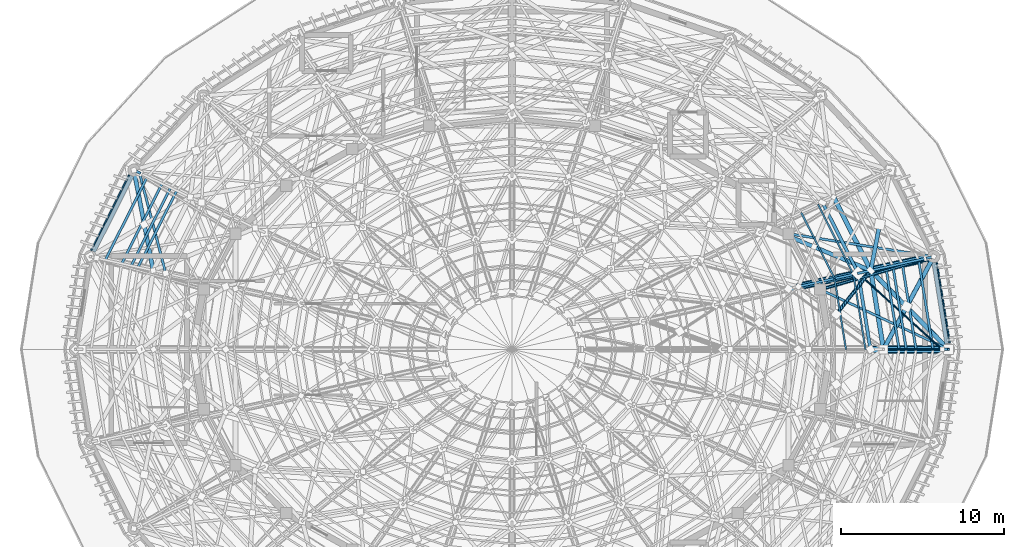
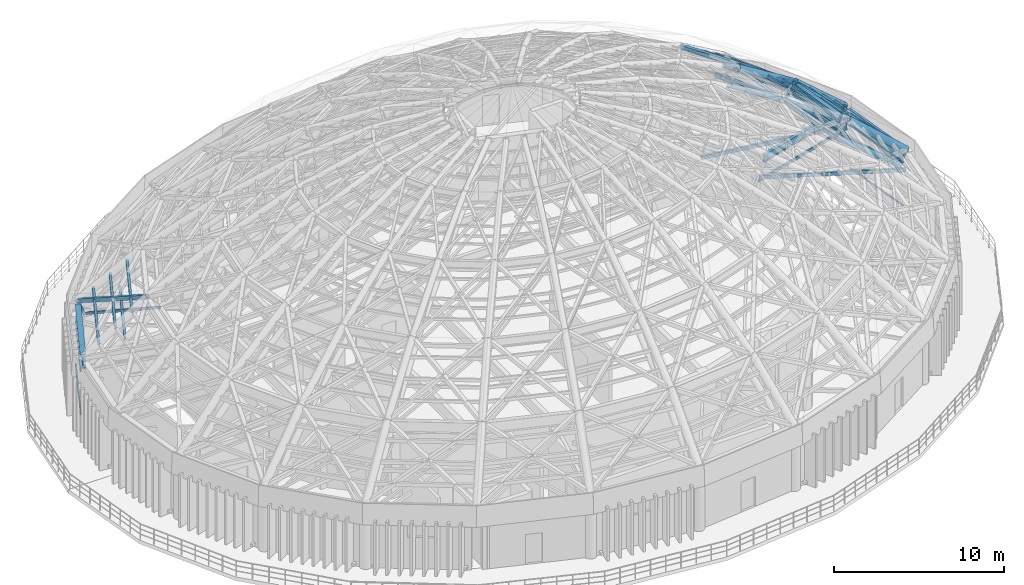
# One storey, part 25 of 50: 43 members, 5 beams.
"""IFC4 building model written with IfcOpenShell, lengths in metres."""

from ifc_helpers import new_model, si_unit, direction, frame, origin, origin_2d, place, context, subcontext, project, spatial, rectangle, hollow_rectangle, hollow_circle, i_section, extrude, material, material_profile, profile_set, type_object, element, save


model = new_model("IFC4")

# Units and contexts
model_context = context("Model", 3, precision=1e-05, world=origin(), true_north=direction((0.0, 1.0)))
body_context = subcontext(model_context, "Body", "Model", "MODEL_VIEW")
ifc_project = project(units=[si_unit("LENGTHUNIT", "METRE"), si_unit("AREAUNIT", "SQUARE_METRE"), si_unit("VOLUMEUNIT", "CUBIC_METRE"), si_unit("PLANEANGLEUNIT", "RADIAN"), si_unit("MASSUNIT", "GRAM", prefix="KILO")], contexts=[model_context])

# Site, building, storey
site_placement = place(None, origin())
site = spatial("IfcSite", under=ifc_project, at=site_placement, CompositionType="ELEMENT")
building_placement = place(site_placement, origin())
building = spatial("IfcBuilding", under=site, at=building_placement, Name="Cinderbank Siding Concert Hall", CompositionType="ELEMENT")
storey_placement = place(building_placement, frame((0.0, 0.0, 23.699951171875)))
storey = spatial("IfcBuildingStorey", under=building, at=storey_placement, Name="L06", CompositionType="ELEMENT", Elevation=23.699951171875)

# Beams
ifc_material_1 = material(Name="Structural steel AS/NZS 3679.1 Grade 350 (340 MPa)", Category="steel")
ifc_material_profile_1 = material_profile(ifc_material_1, i_section(OverallWidth=0.208984375, OverallDepth=0.532958984375, WebThickness=0.01025390625, FlangeThickness=0.015625, at=origin_2d()), Name="530UB92.4", Category="LoadBearing")
ifc_profile_set_1 = profile_set([ifc_material_profile_1], Name="Structural steel AS/NZS 3679.1 Grade 350 (340 MPa)")
beam_type_1 = type_object("IfcBeamType", Name="BM-UB530H 530UB92.4", PredefinedType="BEAM", material=ifc_profile_set_1)
beam_1_placement = place(storey_placement, frame((141.260498046875, 47.7705078125, 4.235595703125), z_axis=(0.960350422934, 0.278795740946, 0.0), x_axis=(-0.278795740946, 0.960350422934, 0.0)))
element("IfcBeam", 1, at=beam_1_placement, inside=storey, type_object=beam_type_1, Name="L06 Beam BM-UB530H #839", PredefinedType="BEAM", context=body_context, shape_type="SweptSolid", body=[
    extrude(i_section(OverallWidth=0.208984375, OverallDepth=0.532958984375, WebThickness=0.01025390625, FlangeThickness=0.015625, at=origin_2d()), origin(), (0.0, 0.0, 1.0), 6.53271484375),
])
ifc_material_2 = material(Name="Structural steel welded plate section AS/NZS 3679.2 / AS/NZS 3678 Grade 350 (340 MPa)", Category="steel")
ifc_material_profile_2 = material_profile(ifc_material_2, i_section(OverallWidth=0.35009765625, OverallDepth=1.0, WebThickness=0.013916015625, FlangeThickness=0.02490234375, at=origin_2d()), Name="1000WB258", Category="LoadBearing")
ifc_profile_set_2 = profile_set([ifc_material_profile_2], Name="Structural steel welded plate section AS/NZS 3679.2 / AS/NZS 3678 Grade 350 (340 MPa)")
beam_type_2 = type_object("IfcBeamType", Name="BM-WB1000 1000WB258", PredefinedType="BEAM", material=ifc_profile_set_2)
beam_2_placement = place(storey_placement, frame((148.741943359375, 44.3623046875, 4.0), z_axis=(-0.158385911166, 0.987377285106, 0.0), x_axis=(-0.987377285106, -0.158385911166, 0.0)))
element("IfcBeam", 2, at=beam_2_placement, inside=storey, type_object=beam_type_2, Name="L06 Beam BM-WB1000 #817", PredefinedType="BEAM", context=body_context, shape_type="SweptSolid", body=[
    extrude(i_section(OverallWidth=0.35009765625, OverallDepth=1.0, WebThickness=0.013916015625, FlangeThickness=0.02490234375, at=origin_2d()), origin(), (0.0, 0.0, 1.0), 5.03271484375),
])
beam_3_placement = place(storey_placement, frame((98.625244140625, 54.67236328125, 4.0), z_axis=(-0.450491318702, -0.892780808359, 0.0), x_axis=(0.892780808359, -0.450491318702, 0.0)))
element("IfcBeam", 3, at=beam_3_placement, inside=storey, type_object=beam_type_2, Name="L06 Beam BM-WB1000 #826", PredefinedType="BEAM", context=body_context, shape_type="SweptSolid", body=[
    extrude(i_section(OverallWidth=0.35009765625, OverallDepth=1.0, WebThickness=0.013916015625, FlangeThickness=0.02490234375, at=origin_2d()), origin(), (0.0, 0.0, 1.0), 5.209228515625),
])
ifc_material_profile_3 = material_profile(ifc_material_2, i_section(OverallWidth=0.27490234375, OverallDepth=0.800048828125, WebThickness=0.010009765625, FlangeThickness=0.01611328125, at=origin_2d()), Name="800WB146", Category="LoadBearing")
ifc_profile_set_3 = profile_set([ifc_material_profile_3], Name="Structural steel welded plate section AS/NZS 3679.2 / AS/NZS 3678 Grade 350 (340 MPa)")
beam_type_3 = type_object("IfcBeamType", Name="BM-WB800 800WB146", PredefinedType="BEAM", material=ifc_profile_set_3)
beam_4_placement = place(storey_placement, frame((144.800048828125, 44.0, 7.699951171875), z_axis=(-0.158483883063, 0.987361564377, 0.0), x_axis=(-0.987361564377, -0.158483883063, 0.0)))
element("IfcBeam", 4, at=beam_4_placement, inside=storey, type_object=beam_type_3, Name="L06 Beam BM-WB800 #2033", PredefinedType="BEAM", context=body_context, shape_type="SweptSolid", body=[
    extrude(i_section(OverallWidth=0.27490234375, OverallDepth=0.800048828125, WebThickness=0.010009765625, FlangeThickness=0.01611328125, at=origin_2d()), origin(), (0.0, 0.0, 1.0), 4.90185546875),
])
beam_5_placement = place(storey_placement, frame((144.023193359375, 48.83984375, 7.699951171875), z_axis=(-0.450804825768, 0.892622545685, 0.0), x_axis=(-0.892622545685, -0.450804825768, 0.0)))
element("IfcBeam", 5, at=beam_5_placement, inside=storey, type_object=beam_type_3, Name="L06 Beam BM-WB800 #2034", PredefinedType="BEAM", context=body_context, shape_type="SweptSolid", body=[
    extrude(i_section(OverallWidth=0.27490234375, OverallDepth=0.800048828125, WebThickness=0.010009765625, FlangeThickness=0.01611328125, at=origin_2d()), origin(), (0.0, 0.0, 1.0), 5.052734375),
])

# Members
ifc_material_3 = material(Name="Structural steel hollow section AS/NZS 1163 Grade C350L0 (350 MPa)", Category="steel")
ifc_material_profile_4 = material_profile(ifc_material_3, hollow_circle(Radius=0.05712890625, WallThickness=0.006103515625, at=origin_2d()), Name="114.3x6.0CHS", Category="LoadBearing")
ifc_profile_set_4 = profile_set([ifc_material_profile_4], Name="Structural steel hollow section AS/NZS 1163 Grade C350L0 (350 MPa)")
member_type_1 = type_object("IfcMemberType", Name="BR-CHS114 114.3x6.0CHS Roof Truss", PredefinedType="BRACE", material=ifc_profile_set_4)
member_1_placement = place(storey_placement, frame((148.39794921875, 44.0, 3.550048828125), z_axis=(-0.65748827294, 0.596752415493, 0.459995353835), x_axis=(-0.672078032772, -0.740480329155, 0.0)))
element("IfcMember", 6, at=member_1_placement, inside=storey, type_object=member_type_1, Name="L06 Diagonal Brace BR-CHS114 #DBRI-BR-CHS114-L06-0539", PredefinedType="BRACE", context=body_context, shape_type="SweptSolid", body=[
    extrude(hollow_circle(Radius=0.05712890625, WallThickness=0.006103515625, at=origin_2d()), origin(), (0.0, 0.0, 1.0), 7.826416015625),
])
ifc_material_profile_5 = material_profile(ifc_material_3, hollow_circle(Radius=0.06982421875, WallThickness=0.00634765625, at=origin_2d()), Name="139.7x6.4CHS", Category="LoadBearing")
ifc_profile_set_5 = profile_set([ifc_material_profile_5], Name="Structural steel hollow section AS/NZS 1163 Grade C350L0 (350 MPa)")
member_type_2 = type_object("IfcMemberType", Name="BR-CHS139 139.7x6.4CHS Roof Truss", PredefinedType="BRACE", material=ifc_profile_set_5)
member_2_placement = place(storey_placement, frame((148.39794921875, 44.0, 3.550048828125), z_axis=(-0.620255458481, 0.0, 0.784399876482), x_axis=(0.0, -1.0, 0.0)))
element("IfcMember", 7, at=member_2_placement, inside=storey, type_object=member_type_2, Name="L06 Diagonal Brace BR-CHS139 #DWBD-BR-CHS139-L06-0530", PredefinedType="BRACE", context=body_context, shape_type="SweptSolid", body=[
    extrude(hollow_circle(Radius=0.06982421875, WallThickness=0.00634765625, at=origin_2d()), origin(), (0.0, 0.0, 1.0), 5.80078125),
])
ifc_material_profile_6 = material_profile(ifc_material_3, hollow_circle(Radius=0.109619140625, WallThickness=0.00830078125, at=origin_2d()), Name="219.1x8.2CHS", Category="LoadBearing")
ifc_profile_set_6 = profile_set([ifc_material_profile_6], Name="Structural steel hollow section AS/NZS 1163 Grade C350L0 (350 MPa)")
member_type_3 = type_object("IfcMemberType", Name="BR-CHS219 219.1x8.2CHS Roof Truss", PredefinedType="BRACE", material=ifc_profile_set_6)
member_3_placement = place(storey_placement, frame((144.023193359375, 48.83984375, 8.10009765625), z_axis=(-0.550212106783, -0.696542417144, 0.460538053443), x_axis=(0.784712774684, -0.619859549614, 0.0)))
element("IfcMember", 8, at=member_3_placement, inside=storey, type_object=member_type_3, Name="L06 Diagonal Brace BR-CHS219 #DBRO-BR-CHS219-L06-0826", PredefinedType="BRACE", context=body_context, shape_type="SweptSolid", body=[
    extrude(hollow_circle(Radius=0.109619140625, WallThickness=0.00830078125, at=origin_2d()), origin(), (0.0, 0.0, 1.0), 3.852294921875),
])
ifc_material_profile_7 = material_profile(ifc_material_3, hollow_circle(Radius=0.136474609375, WallThickness=0.00927734375, at=origin_2d()), Name="273.1x9.3CHS", Category="LoadBearing")
ifc_profile_set_7 = profile_set([ifc_material_profile_7], Name="Structural steel hollow section AS/NZS 1163 Grade C350L0 (350 MPa)")
member_type_4 = type_object("IfcMemberType", Name="BR-CHS273 273.1x9.3CHS Roof Truss", PredefinedType="BRACE", material=ifc_profile_set_7)
member_4_placement = place(storey_placement, frame((148.800048828125, 44.0, 4.5), z_axis=(-0.620825768574, 0.62901206359, 0.467888008964), x_axis=(-0.711722983171, -0.702460244588, 0.0)))
element("IfcMember", 9, at=member_4_placement, inside=storey, type_object=member_type_4, Name="L06 Diagonal Brace BR-CHS273 #DBRO-BR-CHS273-L06-0537", PredefinedType="BRACE", context=body_context, shape_type="SweptSolid", body=[
    extrude(hollow_circle(Radius=0.136474609375, WallThickness=0.00927734375, at=origin_2d()), origin(), (0.0, 0.0, 1.0), 7.6943359375),
])
member_5_placement = place(storey_placement, frame((147.88671875, 49.694091796875, 4.5), z_axis=(-0.416567101442, -0.768406931136, 0.485821611477), x_axis=(0.879125806275, -0.476589778259, 0.0)))
element("IfcMember", 10, at=member_5_placement, inside=storey, type_object=member_type_4, Name="L06 Diagonal Brace BR-CHS273 #DBRO-BR-CHS273-L06-0538", PredefinedType="BRACE", context=body_context, shape_type="SweptSolid", body=[
    extrude(hollow_circle(Radius=0.136474609375, WallThickness=0.00927734375, at=origin_2d()), origin(), (0.0, 0.0, 1.0), 3.99072265625),
])
member_6_placement = place(storey_placement, frame((146.2119140625, 46.6044921875, 6.453369140625), z_axis=(-0.41654543345, -0.768408556812, 0.485837618644), x_axis=(0.879136615235, -0.476569839324, 0.0)))
element("IfcMember", 11, at=member_6_placement, inside=storey, type_object=member_type_4, Name="L06 Diagonal Brace BR-CHS273 #DBRO-BR-CHS273-L06-0538-S57", PredefinedType="BRACE", context=body_context, shape_type="SweptSolid", body=[
    extrude(hollow_circle(Radius=0.136474609375, WallThickness=0.00927734375, at=origin_2d()), origin(), (0.0, 0.0, 1.0), 3.389404296875),
])
ifc_material_profile_8 = material_profile(ifc_material_3, hollow_rectangle(XDim=0.14990234375, YDim=0.14990234375, WallThickness=0.008056640625, at=origin_2d()), Name="150x150x8.0SHS", Category="LoadBearing")
ifc_profile_set_8 = profile_set([ifc_material_profile_8], Name="Structural steel hollow section AS/NZS 1163 Grade C350L0 (350 MPa)")
member_type_5 = type_object("IfcMemberType", Name="BR-SHS150 150x150x8.0SHS Roof Truss", PredefinedType="BRACE", material=ifc_profile_set_8)
member_7_placement = place(storey_placement, frame((148.39794921875, 44.0, 3.550048828125), z_axis=(0.38980212284, 0.0, 0.920898639933), x_axis=(0.0, 1.0, 0.0)))
element("IfcMember", 12, at=member_7_placement, inside=storey, type_object=member_type_5, Name="L06 Diagonal Brace BR-SHS150 #DWBV-BR-SHS150-L06-0533", PredefinedType="BRACE", context=body_context, shape_type="SweptSolid", body=[
    extrude(hollow_rectangle(XDim=0.14990234375, YDim=0.14990234375, WallThickness=0.008056640625, at=origin_2d()), origin(), (0.0, 0.0, 1.0), 1.031494140625),
])
member_8_placement = place(storey_placement, frame((147.49853515625, 49.608642578125, 3.550048828125), z_axis=(-0.60159806167, -0.133082704334, 0.787634919237), x_axis=(0.215993483707, -0.97639480488, 0.0)))
element("IfcMember", 13, at=member_8_placement, inside=storey, type_object=member_type_5, Name="L06 Diagonal Brace BR-SHS150 #DWBD-BR-SHS150-L06-0542", PredefinedType="BRACE", context=body_context, shape_type="SweptSolid", body=[
    extrude(hollow_rectangle(XDim=0.14990234375, YDim=0.14990234375, WallThickness=0.008056640625, at=origin_2d()), origin(), (0.0, 0.0, 1.0), 5.77685546875),
])
member_9_placement = place(storey_placement, frame((147.49853515625, 49.608642578125, 3.550048828125), z_axis=(0.37696695298, 0.082980146882, 0.922502147198), x_axis=(-0.214978955029, 0.976618681418, 0.0)))
element("IfcMember", 14, at=member_9_placement, inside=storey, type_object=member_type_5, Name="L06 Diagonal Brace BR-SHS150 #DWBV-BR-SHS150-L06-0545", PredefinedType="BRACE", context=body_context, shape_type="SweptSolid", body=[
    extrude(hollow_rectangle(XDim=0.14990234375, YDim=0.14990234375, WallThickness=0.008056640625, at=origin_2d()), origin(), (0.0, 0.0, 1.0), 1.02978515625),
])
member_10_placement = place(storey_placement, frame((99.138671875, 54.8349609375, 3.550048828125), z_axis=(-0.339616879997, 0.160996501317, 0.926682524592), x_axis=(-0.428358715974, -0.903608770679, 0.0)))
element("IfcMember", 15, at=member_10_placement, inside=storey, type_object=member_type_5, Name="L06 Diagonal Brace BR-SHS150 #DWBV-BR-SHS150-L06-0653", PredefinedType="BRACE", context=body_context, shape_type="SweptSolid", body=[
    extrude(hollow_rectangle(XDim=0.14990234375, YDim=0.14990234375, WallThickness=0.008056640625, at=origin_2d()), origin(), (0.0, 0.0, 1.0), 1.025146484375),
])
member_11_placement = place(storey_placement, frame((99.138671875, 54.8349609375, 3.550048828125), z_axis=(0.219889639227, -0.842393171063, 0.491957611901), x_axis=(0.967579416305, 0.252566967638, 0.0)))
element("IfcMember", 16, at=member_11_placement, inside=storey, type_object=member_type_5, Name="L06 Diagonal Brace BR-SHS150 #DBRI-BR-SHS150-L06-0659", PredefinedType="BRACE", context=body_context, shape_type="SweptSolid", body=[
    extrude(hollow_rectangle(XDim=0.14990234375, YDim=0.14990234375, WallThickness=0.008056640625, at=origin_2d()), origin(), (0.0, 0.0, 1.0), 7.31787109375),
])
member_12_placement = place(storey_placement, frame((143.252197265625, 48.67041015625, 7.150146484375), z_axis=(-0.655669606354, -0.145326583405, 0.740930193378), x_axis=(0.216394383414, -0.976306033387, 0.0)))
element("IfcMember", 17, at=member_12_placement, inside=storey, type_object=member_type_5, Name="L06 Diagonal Brace BR-SHS150 #DWBD-BR-SHS150-L06-0830", PredefinedType="BRACE", context=body_context, shape_type="SweptSolid", body=[
    extrude(hollow_rectangle(XDim=0.14990234375, YDim=0.14990234375, WallThickness=0.008056640625, at=origin_2d()), origin(), (0.0, 0.0, 1.0), 5.600830078125),
])
member_13_placement = place(storey_placement, frame((143.252197265625, 48.67041015625, 7.150146484375), z_axis=(0.624221843528, 0.137178581193, 0.769109307526), x_axis=(-0.214637578428, 0.976693764661, 0.0)))
element("IfcMember", 18, at=member_13_placement, inside=storey, type_object=member_type_5, Name="L06 Diagonal Brace BR-SHS150 #DWBV-BR-SHS150-L06-0833", PredefinedType="BRACE", context=body_context, shape_type="SweptSolid", body=[
    extrude(hollow_rectangle(XDim=0.14990234375, YDim=0.14990234375, WallThickness=0.008056640625, at=origin_2d()), origin(), (0.0, 0.0, 1.0), 1.235107421875),
])
ifc_material_profile_9 = material_profile(ifc_material_3, hollow_rectangle(XDim=0.25, YDim=0.25, WallThickness=0.010009765625, at=origin_2d()), Name="250x250x10.0SHS", Category="LoadBearing")
ifc_profile_set_9 = profile_set([ifc_material_profile_9], Name="Structural steel hollow section AS/NZS 1163 Grade C350L0 (350 MPa)")
member_type_6 = type_object("IfcMemberType", Name="BR-SHS250 250x250x10.0SHS Roof Truss", PredefinedType="BRACE", material=ifc_profile_set_9)
member_14_placement = place(storey_placement, frame((144.565673828125, 51.6572265625, 6.45361328125), z_axis=(-0.163990634767, -0.851688535196, 0.497728551245), x_axis=(0.981962721471, -0.189074624533, 0.0)))
element("IfcMember", 19, at=member_14_placement, inside=storey, type_object=member_type_6, Name="L06 Diagonal Brace BR-SHS250 #DBRO-BR-SHS250-L06-0550-S58", PredefinedType="BRACE", context=body_context, shape_type="SweptSolid", body=[
    extrude(hollow_rectangle(XDim=0.25, YDim=0.25, WallThickness=0.010009765625, at=origin_2d()), origin(), (0.0, 0.0, 1.0), 3.30810546875),
])
member_15_placement = place(storey_placement, frame((98.79052734375, 55.0, 4.5), z_axis=(0.164010561701, -0.851680282535, 0.497736106779), x_axis=(0.981958115375, 0.189098544809, 0.0)))
element("IfcMember", 20, at=member_15_placement, inside=storey, type_object=member_type_6, Name="L06 Diagonal Brace BR-SHS250 #DBRO-BR-SHS250-L06-0657", PredefinedType="BRACE", context=body_context, shape_type="SweptSolid", body=[
    extrude(hollow_rectangle(XDim=0.25, YDim=0.25, WallThickness=0.010009765625, at=origin_2d()), origin(), (0.0, 0.0, 1.0), 7.23291015625),
])
member_16_placement = place(storey_placement, frame((144.023193359375, 48.83984375, 8.10009765625), z_axis=(-0.834800858734, 0.347988301974, 0.426628254978), x_axis=(-0.384761040448, -0.923016219659, 0.0)))
element("IfcMember", 21, at=member_16_placement, inside=storey, type_object=member_type_6, Name="L06 Diagonal Brace BR-SHS250 #DBRO-BR-SHS250-L06-0837", PredefinedType="BRACE", context=body_context, shape_type="SweptSolid", body=[
    extrude(hollow_rectangle(XDim=0.25, YDim=0.25, WallThickness=0.010009765625, at=origin_2d()), origin(), (0.0, 0.0, 1.0), 7.50048828125),
])
ifc_material_profile_10 = material_profile(ifc_material_3, hollow_circle(Radius=0.177734375, WallThickness=0.0126953125, at=origin_2d()), Name="355.6x12.7CHS", Category="LoadBearing")
ifc_profile_set_10 = profile_set([ifc_material_profile_10], Name="Structural steel hollow section AS/NZS 1163 Grade C350L0 (350 MPa)")
member_type_7 = type_object("IfcMemberType", Name="DR-CHS355 355.6x12.7CHS Roof Truss", PredefinedType="RAFTER", material=ifc_profile_set_10)
member_17_placement = place(storey_placement, frame((143.252197265625, 48.67041015625, 7.150146484375), z_axis=(-0.789093349478, -0.174650145167, 0.58892190705), x_axis=(0.216100368757, -0.976371154133, 0.0)))
element("IfcMember", 22, at=member_17_placement, inside=storey, type_object=member_type_7, Name="L06 Roof Truss Member DR-CHS355 #829", PredefinedType="RAFTER", context=body_context, shape_type="SweptSolid", body=[
    extrude(hollow_circle(Radius=0.177734375, WallThickness=0.0126953125, at=origin_2d()), origin(), (0.0, 0.0, 1.0), 5.43359375),
])
ifc_material_profile_11 = material_profile(ifc_material_3, hollow_circle(Radius=0.203125, WallThickness=0.01611328125, at=origin_2d()), Name="406.4x16.0CHS", Category="LoadBearing")
ifc_profile_set_11 = profile_set([ifc_material_profile_11], Name="Structural steel hollow section AS/NZS 1163 Grade C350L0 (350 MPa)")
member_type_8 = type_object("IfcMemberType", Name="DR-CHS406 406.4x16.0CHS Roof Truss", PredefinedType="RAFTER", material=ifc_profile_set_11)
member_18_placement = place(storey_placement, frame((148.39794921875, 44.0, 3.550048828125), z_axis=(-0.77366623214, 0.0, 0.633593372161), x_axis=(0.0, -1.0, 0.0)))
element("IfcMember", 23, at=member_18_placement, inside=storey, type_object=member_type_8, Name="L06 Roof Truss Member DR-CHS406 #529", PredefinedType="RAFTER", context=body_context, shape_type="SweptSolid", body=[
    extrude(hollow_circle(Radius=0.203125, WallThickness=0.01611328125, at=origin_2d()), origin(), (0.0, 0.0, 1.0), 5.68212890625),
])
member_19_placement = place(storey_placement, frame((147.49853515625, 49.608642578125, 3.550048828125), z_axis=(-0.752155055134, -0.166189379456, 0.637686336055), x_axis=(0.215747388225, -0.97644921244, 0.0)))
element("IfcMember", 24, at=member_19_placement, inside=storey, type_object=member_type_8, Name="L06 Roof Truss Member DR-CHS406 #541", PredefinedType="RAFTER", context=body_context, shape_type="SweptSolid", body=[
    extrude(hollow_circle(Radius=0.203125, WallThickness=0.01611328125, at=origin_2d()), origin(), (0.0, 0.0, 1.0), 5.6455078125),
])
ifc_material_profile_12 = material_profile(ifc_material_3, hollow_circle(Radius=0.228515625, WallThickness=0.01611328125, at=origin_2d()), Name="457.0x16.0CHS", Category="LoadBearing")
ifc_profile_set_12 = profile_set([ifc_material_profile_12], Name="Structural steel hollow section AS/NZS 1163 Grade C350L0 (350 MPa)")
member_type_9 = type_object("IfcMemberType", Name="DR-CHS457 457.0x16.0CHS Roof Truss", PredefinedType="RAFTER", material=ifc_profile_set_12)
member_20_placement = place(storey_placement, frame((144.023193359375, 48.83984375, 8.10009765625), z_axis=(-0.79869265842, -0.17676560594, 0.575190366698), x_axis=(0.216089698952, -0.976373515621, 0.0)))
element("IfcMember", 25, at=member_20_placement, inside=storey, type_object=member_type_9, Name="L06 Roof Truss Member DR-CHS457 #828", PredefinedType="RAFTER", context=body_context, shape_type="SweptSolid", body=[
    extrude(hollow_circle(Radius=0.228515625, WallThickness=0.01611328125, at=origin_2d()), origin(), (0.0, 0.0, 1.0), 5.563232421875),
])
ifc_material_profile_13 = material_profile(ifc_material_3, hollow_circle(Radius=0.25390625, WallThickness=0.01611328125, at=origin_2d()), Name="508.0x16.0CHS", Category="LoadBearing")
ifc_profile_set_13 = profile_set([ifc_material_profile_13], Name="Structural steel hollow section AS/NZS 1163 Grade C350L0 (350 MPa)")
member_type_10 = type_object("IfcMemberType", Name="DR-CHS508 508.0x16.0CHS Roof Truss", PredefinedType="RAFTER", material=ifc_profile_set_13)
member_21_placement = place(storey_placement, frame((148.800048828125, 44.0, 4.5), z_axis=(-0.743285123004, 0.0, 0.668974757313), x_axis=(0.0, -1.0, 0.0)))
element("IfcMember", 26, at=member_21_placement, inside=storey, type_object=member_type_10, Name="L06 Roof Truss Member DR-CHS508 #528", PredefinedType="RAFTER", context=body_context, shape_type="SweptSolid", body=[
    extrude(hollow_circle(Radius=0.25390625, WallThickness=0.01611328125, at=origin_2d()), origin(), (0.0, 0.0, 1.0), 5.381591796875),
])
member_22_placement = place(storey_placement, frame((147.88671875, 49.694091796875, 4.5), z_axis=(-0.722220248444, -0.15968711844, 0.672976921552), x_axis=(0.215891581568, -0.976417341616, 0.0)))
element("IfcMember", 27, at=member_22_placement, inside=storey, type_object=member_type_10, Name="L06 Roof Truss Member DR-CHS508 #540", PredefinedType="RAFTER", context=body_context, shape_type="SweptSolid", body=[
    extrude(hollow_circle(Radius=0.25390625, WallThickness=0.01611328125, at=origin_2d()), origin(), (0.0, 0.0, 1.0), 5.349609375),
])
ifc_material_4 = material(Name="Anodised aluminium alloy 6063-T6", Category="aluminium")
ifc_material_profile_14 = material_profile(ifc_material_4, rectangle(XDim=0.080078125, YDim=0.10009765625, at=origin_2d()), Name="ALU-RAIL-80x100", Category="LoadBearing")
ifc_profile_set_14 = profile_set([ifc_material_profile_14], Name="Anodised aluminium alloy 6063-T6")
member_type_11 = type_object("IfcMemberType", Name="LV-RL1 Carrier Rail 80x100", PredefinedType="STUD", material=ifc_profile_set_14)
for number, where, z_axis, x_axis, name in (
    (28, (148.867431640625, 44.39892578125, 0.219970703125), (-0.158322718802, 0.987387419765, 0.0), (-0.987387419765, -0.158322718802, 0.0), "L06 Louvre Carrier Rail 01 BOT"),
    (29, (148.867431640625, 44.39892578125, 3.320068359375), (-0.158322718802, 0.987387419765, 0.0), (-0.987387419765, -0.158322718802, 0.0), "L06 Louvre Carrier Rail 01 TOP"),
):
    element("IfcMember", number, at=place(storey_placement, frame(where, z_axis=z_axis, x_axis=x_axis)), inside=storey, type_object=member_type_11, Name=name, PredefinedType="STUD", context=body_context, shape_type="SweptSolid", body=[
        extrude(rectangle(XDim=0.080078125, YDim=0.10009765625, at=origin_2d()), origin(), (0.0, 0.0, 1.0), 4.987060546875),
    ])
for number, where, z_axis, x_axis, name in (
    (30, (98.49169921875, 54.693603515625, 0.219970703125), (-0.450482714116, -0.892785150124, 0.0), (0.892785150124, -0.450482714116, 0.0), "L06 Louvre Carrier Rail 11 BOT"),
    (31, (98.49169921875, 54.693603515625, 3.320068359375), (-0.450482714116, -0.892785150124, 0.0), (0.892785150124, -0.450482714116, 0.0), "L06 Louvre Carrier Rail 11 TOP"),
):
    element("IfcMember", number, at=place(storey_placement, frame(where, z_axis=z_axis, x_axis=x_axis)), inside=storey, type_object=member_type_11, Name=name, PredefinedType="STUD", context=body_context, shape_type="SweptSolid", body=[
        extrude(rectangle(XDim=0.080078125, YDim=0.10009765625, at=origin_2d()), origin(), (0.0, 0.0, 1.0), 5.1630859375),
    ])
ifc_material_profile_15 = material_profile(ifc_material_3, hollow_rectangle(XDim=0.10009765625, YDim=0.199951171875, WallThickness=0.008056640625, at=origin_2d()), Name="200x100x8.0RHS", Category="LoadBearing")
ifc_profile_set_15 = profile_set([ifc_material_profile_15], Name="Structural steel hollow section AS/NZS 1163 Grade C350L0 (350 MPa)")
member_type_12 = type_object("IfcMemberType", Name="PR-RHS200 200x100x8.0RHS Roof Truss", PredefinedType="PURLIN", material=ifc_profile_set_15)
member_23_placement = place(storey_placement, frame((143.696044921875, 44.0, 8.8681640625), z_axis=(-0.158537736653, 0.987352918696, 0.0), x_axis=(-0.987352918696, -0.158537736653, 0.0)))
element("IfcMember", 32, at=member_23_placement, inside=storey, type_object=member_type_12, Name="L06 Roof Truss Member PR-RHS200 #822", PredefinedType="PURLIN", context=body_context, shape_type="SweptSolid", body=[
    extrude(hollow_rectangle(XDim=0.10009765625, YDim=0.199951171875, WallThickness=0.008056640625, at=origin_2d()), origin(), (0.0, 0.0, 1.0), 4.6630859375),
])
member_24_placement = place(storey_placement, frame((142.5, 44.0, 9.699951171875), z_axis=(-0.158606682786, 0.987341845652, 0.0), x_axis=(-0.987341845652, -0.158606682786, 0.0)))
element("IfcMember", 33, at=member_24_placement, inside=storey, type_object=member_type_12, Name="L06 Roof Truss Member PR-RHS200 #823", PredefinedType="PURLIN", context=body_context, shape_type="SweptSolid", body=[
    extrude(hollow_rectangle(XDim=0.10009765625, YDim=0.199951171875, WallThickness=0.008056640625, at=origin_2d()), origin(), (0.0, 0.0, 1.0), 4.40380859375),
])
member_25_placement = place(storey_placement, frame((142.956787109375, 48.60400390625, 8.8681640625), z_axis=(-0.450948119115, 0.892550163222, 0.0), x_axis=(-0.892550163222, -0.450948119115, 0.0)))
element("IfcMember", 34, at=member_25_placement, inside=storey, type_object=member_type_12, Name="L06 Roof Truss Member PR-RHS200 #834", PredefinedType="PURLIN", context=body_context, shape_type="SweptSolid", body=[
    extrude(hollow_rectangle(XDim=0.10009765625, YDim=0.199951171875, WallThickness=0.008056640625, at=origin_2d()), origin(), (0.0, 0.0, 1.0), 4.806396484375),
])
member_26_placement = place(storey_placement, frame((141.801513671875, 48.34814453125, 9.699951171875), z_axis=(-0.451124181194, 0.892461188591, 0.0), x_axis=(-0.892461188591, -0.451124181194, 0.0)))
element("IfcMember", 35, at=member_26_placement, inside=storey, type_object=member_type_12, Name="L06 Roof Truss Member PR-RHS200 #835", PredefinedType="PURLIN", context=body_context, shape_type="SweptSolid", body=[
    extrude(hollow_rectangle(XDim=0.10009765625, YDim=0.199951171875, WallThickness=0.008056640625, at=origin_2d()), origin(), (0.0, 0.0, 1.0), 4.5400390625),
])
member_27_placement = place(storey_placement, frame((140.93212890625, 47.67529296875, 2.81005859375), z_axis=(0.960356417746, 0.278775090161, 0.0), x_axis=(-0.278775090161, 0.960356417746, 0.0)))
element("IfcMember", 36, at=member_27_placement, inside=storey, type_object=member_type_12, Name="L06 Roof Truss Member PR-RHS200 #2333", PredefinedType="PURLIN", context=body_context, shape_type="SweptSolid", body=[
    extrude(hollow_rectangle(XDim=0.10009765625, YDim=0.199951171875, WallThickness=0.008056640625, at=origin_2d()), origin(), (0.0, 0.0, 1.0), 7.24169921875),
])
ifc_material_profile_16 = material_profile(ifc_material_3, hollow_rectangle(XDim=0.14990234375, YDim=0.25, WallThickness=0.009033203125, at=origin_2d()), Name="250x150x9.0RHS", Category="LoadBearing")
ifc_profile_set_16 = profile_set([ifc_material_profile_16], Name="Structural steel hollow section AS/NZS 1163 Grade C350L0 (350 MPa)")
member_type_13 = type_object("IfcMemberType", Name="PR-RHS250 250x150x9.0RHS Roof Truss", PredefinedType="PURLIN", material=ifc_profile_set_16)
member_28_placement = place(storey_placement, frame((146.199951171875, 44.0, 5.35009765625), z_axis=(-0.158394769514, 0.987375864092, 0.0), x_axis=(-0.987375864092, -0.158394769514, 0.0)))
element("IfcMember", 37, at=member_28_placement, inside=storey, type_object=member_type_13, Name="L06 Roof Truss Member PR-RHS250 #532", PredefinedType="PURLIN", context=body_context, shape_type="SweptSolid", body=[
    extrude(hollow_rectangle(XDim=0.14990234375, YDim=0.25, WallThickness=0.009033203125, at=origin_2d()), origin(), (0.0, 0.0, 1.0), 5.205078125),
])
member_29_placement = place(storey_placement, frame((147.840087890625, 44.0, 5.364013671875), z_axis=(-0.158406700088, 0.987373950116, 0.0), x_axis=(-0.987373950116, -0.158406700088, 0.0)))
element("IfcMember", 38, at=member_29_placement, inside=storey, type_object=member_type_13, Name="L06 Roof Truss Member PR-RHS250 #534", PredefinedType="PURLIN", context=body_context, shape_type="SweptSolid", body=[
    extrude(hollow_rectangle(XDim=0.14990234375, YDim=0.25, WallThickness=0.009033203125, at=origin_2d()), origin(), (0.0, 0.0, 1.0), 5.559326171875),
])
member_30_placement = place(storey_placement, frame((146.800048828125, 44.0, 6.300048828125), z_axis=(-0.158443866233, 0.987367986747, 0.0), x_axis=(-0.987367986747, -0.158443866233, 0.0)))
element("IfcMember", 39, at=member_30_placement, inside=storey, type_object=member_type_13, Name="L06 Roof Truss Member PR-RHS250 #535", PredefinedType="PURLIN", context=body_context, shape_type="SweptSolid", body=[
    extrude(hollow_rectangle(XDim=0.14990234375, YDim=0.25, WallThickness=0.009033203125, at=origin_2d()), origin(), (0.0, 0.0, 1.0), 5.33447265625),
])
member_31_placement = place(storey_placement, frame((145.760009765625, 44.0, 7.236083984375), z_axis=(-0.158445196298, 0.98736777331, 0.0), x_axis=(-0.98736777331, -0.158445196298, 0.0)))
element("IfcMember", 40, at=member_31_placement, inside=storey, type_object=member_type_13, Name="L06 Roof Truss Member PR-RHS250 #536", PredefinedType="PURLIN", context=body_context, shape_type="SweptSolid", body=[
    extrude(hollow_rectangle(XDim=0.14990234375, YDim=0.25, WallThickness=0.009033203125, at=origin_2d()), origin(), (0.0, 0.0, 1.0), 5.109375),
])
member_32_placement = place(storey_placement, frame((101.042236328125, 53.9287109375, 5.35009765625), z_axis=(-0.450650576503, -0.892700430098, 0.0), x_axis=(0.892700430098, -0.450650576503, 0.0)))
element("IfcMember", 41, at=member_32_placement, inside=storey, type_object=member_type_13, Name="L06 Roof Truss Member PR-RHS250 #652", PredefinedType="PURLIN", context=body_context, shape_type="SweptSolid", body=[
    extrude(hollow_rectangle(XDim=0.14990234375, YDim=0.25, WallThickness=0.009033203125, at=origin_2d()), origin(), (0.0, 0.0, 1.0), 5.364990234375),
])
member_33_placement = place(storey_placement, frame((99.621826171875, 54.60400390625, 5.364013671875), z_axis=(-0.450534225654, -0.8927591565, 0.0), x_axis=(0.8927591565, -0.450534225654, 0.0)))
element("IfcMember", 42, at=member_33_placement, inside=storey, type_object=member_type_13, Name="L06 Roof Truss Member PR-RHS250 #654", PredefinedType="PURLIN", context=body_context, shape_type="SweptSolid", body=[
    extrude(hollow_rectangle(XDim=0.14990234375, YDim=0.25, WallThickness=0.009033203125, at=origin_2d()), origin(), (0.0, 0.0, 1.0), 5.7294921875),
])
member_34_placement = place(storey_placement, frame((100.5224609375, 54.175048828125, 6.300048828125), z_axis=(-0.450603112747, -0.892724389037, 0.0), x_axis=(0.892724389037, -0.450603112747, 0.0)))
element("IfcMember", 43, at=member_34_placement, inside=storey, type_object=member_type_13, Name="L06 Roof Truss Member PR-RHS250 #655", PredefinedType="PURLIN", context=body_context, shape_type="SweptSolid", body=[
    extrude(hollow_rectangle(XDim=0.14990234375, YDim=0.25, WallThickness=0.009033203125, at=origin_2d()), origin(), (0.0, 0.0, 1.0), 5.497802734375),
])
member_35_placement = place(storey_placement, frame((101.423095703125, 53.74609375, 7.236083984375), z_axis=(-0.450696350116, -0.892677321316, 0.0), x_axis=(0.892677321316, -0.450696350116, 0.0)))
element("IfcMember", 44, at=member_35_placement, inside=storey, type_object=member_type_13, Name="L06 Roof Truss Member PR-RHS250 #656", PredefinedType="PURLIN", context=body_context, shape_type="SweptSolid", body=[
    extrude(hollow_rectangle(XDim=0.14990234375, YDim=0.25, WallThickness=0.009033203125, at=origin_2d()), origin(), (0.0, 0.0, 1.0), 5.266357421875),
])
ifc_material_profile_17 = material_profile(ifc_material_3, hollow_rectangle(XDim=0.199951171875, YDim=0.300048828125, WallThickness=0.010009765625, at=origin_2d()), Name="300x200x10.0RHS", Category="LoadBearing")
ifc_profile_set_17 = profile_set([ifc_material_profile_17], Name="Structural steel hollow section AS/NZS 1163 Grade C350L0 (350 MPa)")
member_type_14 = type_object("IfcMemberType", Name="PR-RHS300 300x200x10.0RHS Roof Truss", PredefinedType="PURLIN", material=ifc_profile_set_17)
member_36_placement = place(storey_placement, frame((144.001953125, 44.0, 7.150146484375), z_axis=(-0.158503792449, 0.987358368466, 0.0), x_axis=(-0.987358368466, -0.158503792449, 0.0)))
element("IfcMember", 45, at=member_36_placement, inside=storey, type_object=member_type_14, Name="L06 Roof Truss Member PR-RHS300 #531", PredefinedType="PURLIN", context=body_context, shape_type="SweptSolid", body=[
    extrude(hollow_rectangle(XDim=0.199951171875, YDim=0.300048828125, WallThickness=0.010009765625, at=origin_2d()), origin(), (0.0, 0.0, 1.0), 4.730224609375),
])
member_37_placement = place(storey_placement, frame((143.252197265625, 48.67041015625, 7.150146484375), z_axis=(-0.450795133604, 0.892627440492, 0.0), x_axis=(-0.892627440492, -0.450795133604, 0.0)))
element("IfcMember", 46, at=member_37_placement, inside=storey, type_object=member_type_14, Name="L06 Roof Truss Member PR-RHS300 #543", PredefinedType="PURLIN", context=body_context, shape_type="SweptSolid", body=[
    extrude(hollow_rectangle(XDim=0.199951171875, YDim=0.300048828125, WallThickness=0.010009765625, at=origin_2d()), origin(), (0.0, 0.0, 1.0), 4.875732421875),
])
ifc_material_profile_18 = material_profile(ifc_material_3, hollow_rectangle(XDim=0.14990234375, YDim=0.25, WallThickness=0.009033203125, at=origin_2d()), Name="250x150x9.0RHS", Category="LoadBearing")
ifc_profile_set_18 = profile_set([ifc_material_profile_18], Name="Structural steel hollow section AS/NZS 1163 Grade C350L0 (350 MPa)")
member_type_15 = type_object("IfcMemberType", Name="TR-RHS250 250x150x9.0RHS Roof Truss", PredefinedType="RAFTER", material=ifc_profile_set_18)
member_38_placement = place(storey_placement, frame((140.93212890625, 47.67529296875, 3.070068359375), z_axis=(0.906024345896, -0.423225571822, 0.0), x_axis=(0.423225571822, 0.906024345896, 0.0)))
element("IfcMember", 47, at=member_38_placement, inside=storey, type_object=member_type_15, Name="L06 Roof Truss Member TR-RHS250 #2330", PredefinedType="RAFTER", context=body_context, shape_type="SweptSolid", body=[
    extrude(hollow_rectangle(XDim=0.14990234375, YDim=0.25, WallThickness=0.009033203125, at=origin_2d()), origin(), (0.0, 0.0, 1.0), 8.68408203125),
])
member_39_placement = place(storey_placement, frame((138.97412109375, 51.10009765625, 3.070068359375), z_axis=(0.987784236991, -0.155827793262, 0.0), x_axis=(0.155827793262, 0.987784236991, 0.0)))
element("IfcMember", 48, at=member_39_placement, inside=storey, type_object=member_type_15, Name="L06 Roof Truss Member TR-RHS250 #2332", PredefinedType="RAFTER", context=body_context, shape_type="SweptSolid", body=[
    extrude(hollow_rectangle(XDim=0.14990234375, YDim=0.25, WallThickness=0.009033203125, at=origin_2d()), origin(), (0.0, 0.0, 1.0), 9.022705078125),
])

save(model, "model.ifc")
